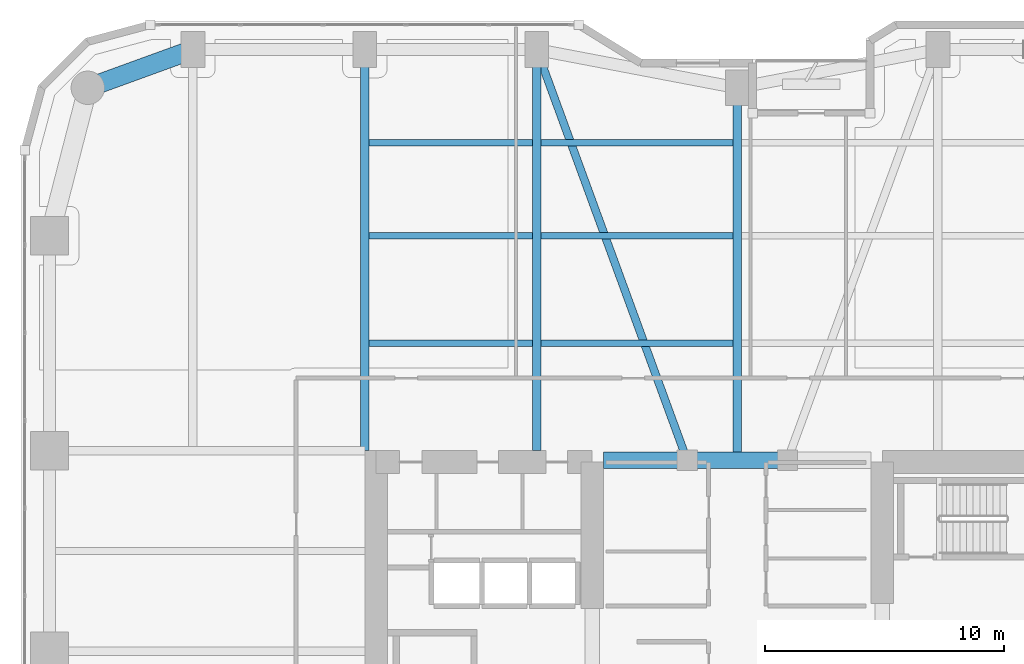
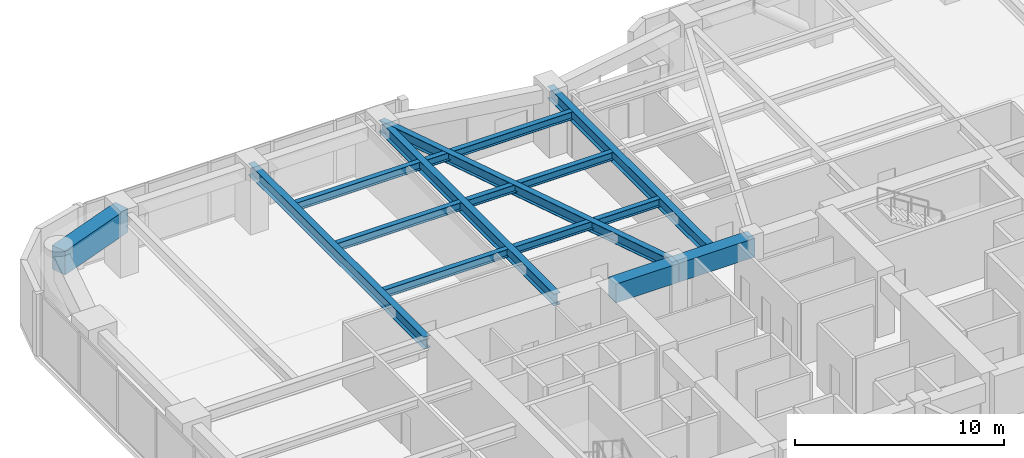
# One storey, part 15 of 28: 13 beams.
"""IFC4 building model written with IfcOpenShell, lengths in metres."""

from ifc_helpers import new_model, si_unit, direction, frame, origin, origin_2d, place, context, subcontext, project, spatial, rectangle, i_section, extrude, material, material_profile, profile_set, type_object, element, save


model = new_model("IFC4")

# Units and contexts
model_context = context("Model", 3, precision=1e-05, world=origin(), true_north=direction((0.0, 1.0)))
body_context = subcontext(model_context, "Body", "Model", "MODEL_VIEW")
ifc_project = project(units=[si_unit("LENGTHUNIT", "METRE"), si_unit("AREAUNIT", "SQUARE_METRE"), si_unit("VOLUMEUNIT", "CUBIC_METRE"), si_unit("PLANEANGLEUNIT", "RADIAN"), si_unit("MASSUNIT", "GRAM", prefix="KILO")], contexts=[model_context])

# Site, building, storey
site_placement = place(None, origin())
site = spatial("IfcSite", under=ifc_project, at=site_placement, CompositionType="ELEMENT")
building_placement = place(site_placement, origin())
building = spatial("IfcBuilding", under=site, at=building_placement, Name="Kiyonajd Concourse Tower", CompositionType="ELEMENT")
storey_placement = place(building_placement, frame((0.0, 0.0, 56.699951171875)))
storey = spatial("IfcBuildingStorey", under=building, at=storey_placement, Name="L15", CompositionType="ELEMENT", Elevation=56.699951171875)

# Beams
ifc_material_1 = material(Name="Concrete C70/85", Category="concrete")
ifc_material_profile_1 = material_profile(ifc_material_1, rectangle(XDim=0.699951171875, YDim=1.10009765625, at=origin_2d()), Name="RCBM-700x1100")
ifc_profile_set_1 = profile_set([ifc_material_profile_1], Name="Concrete C70/85")
beam_type_1 = type_object("IfcBeamType", Name="BM-COUP-1100", PredefinedType="LINTEL", material=ifc_profile_set_1)
beam_1_placement = place(storey_placement, frame((42.39990234375, 44.0, 3.090087890625), z_axis=(1.0, 0.0, 0.0), x_axis=(0.0, 1.0, 0.0)))
element("IfcBeam", 1, at=beam_1_placement, inside=storey, type_object=beam_type_1, Name="L15 Core Coupling Beam N1", PredefinedType="LINTEL", context=body_context, shape_type="SweptSolid", body=[
    extrude(rectangle(XDim=0.699951171875, YDim=1.10009765625, at=origin_2d()), origin(), (0.0, 0.0, 1.0), 3.5),
])
beam_2_placement = place(storey_placement, frame((45.89990234375, 44.0, 3.090087890625), z_axis=(1.0, 0.0, 0.0), x_axis=(0.0, 1.0, 0.0)))
element("IfcBeam", 2, at=beam_2_placement, inside=storey, type_object=beam_type_1, Name="L15 Core Coupling Beam N2", PredefinedType="LINTEL", context=body_context, shape_type="SweptSolid", body=[
    extrude(rectangle(XDim=0.699951171875, YDim=1.10009765625, at=origin_2d()), origin(), (0.0, 0.0, 1.0), 4.2001953125),
])
ifc_material_2 = material(Name="Steel ASTM A992 Grade 50", Category="steel")
ifc_material_profile_2 = material_profile(ifc_material_2, i_section(OverallWidth=0.280029296875, OverallDepth=0.462890625, WebThickness=0.0107421875, FlangeThickness=0.017333984375, at=origin_2d()), Name="W460X113")
ifc_profile_set_2 = profile_set([ifc_material_profile_2], Name="Steel ASTM A992 Grade 50")
beam_type_2 = type_object("IfcBeamType", Name="BM-JST-460A", PredefinedType="JOIST", material=ifc_profile_set_2)
beam_3_placement = place(storey_placement, frame((32.577392578125, 48.89990234375, 3.408447265625), z_axis=(1.0, 0.0, 0.0), x_axis=(0.0, 1.0, 0.0)))
element("IfcBeam", 3, at=beam_3_placement, inside=storey, type_object=beam_type_2, Name="L15 Secondary Floor Joist", PredefinedType="JOIST", context=body_context, shape_type="SweptSolid", body=[
    extrude(i_section(OverallWidth=0.280029296875, OverallDepth=0.462890625, WebThickness=0.0107421875, FlangeThickness=0.017333984375, at=origin_2d()), origin(), (0.0, 0.0, 1.0), 6.84521484375),
])
beam_4_placement = place(storey_placement, frame((39.777587890625, 48.89990234375, 3.408447265625), z_axis=(1.0, 0.0, 0.0), x_axis=(0.0, 1.0, 0.0)))
element("IfcBeam", 4, at=beam_4_placement, inside=storey, type_object=beam_type_2, Name="L15 Secondary Floor Joist", PredefinedType="JOIST", context=body_context, shape_type="SweptSolid", body=[
    extrude(i_section(OverallWidth=0.280029296875, OverallDepth=0.462890625, WebThickness=0.0107421875, FlangeThickness=0.017333984375, at=origin_2d()), origin(), (0.0, 0.0, 1.0), 8.044921875),
])
beam_5_placement = place(storey_placement, frame((32.577392578125, 53.39990234375, 3.408447265625), z_axis=(1.0, 0.0, 0.0), x_axis=(0.0, 1.0, 0.0)))
element("IfcBeam", 5, at=beam_5_placement, inside=storey, type_object=beam_type_2, Name="L15 Secondary Floor Joist", PredefinedType="JOIST", context=body_context, shape_type="SweptSolid", body=[
    extrude(i_section(OverallWidth=0.280029296875, OverallDepth=0.462890625, WebThickness=0.0107421875, FlangeThickness=0.017333984375, at=origin_2d()), origin(), (0.0, 0.0, 1.0), 6.84521484375),
])
beam_6_placement = place(storey_placement, frame((39.777587890625, 53.39990234375, 3.408447265625), z_axis=(1.0, 0.0, 0.0), x_axis=(0.0, 1.0, 0.0)))
element("IfcBeam", 6, at=beam_6_placement, inside=storey, type_object=beam_type_2, Name="L15 Secondary Floor Joist", PredefinedType="JOIST", context=body_context, shape_type="SweptSolid", body=[
    extrude(i_section(OverallWidth=0.280029296875, OverallDepth=0.462890625, WebThickness=0.0107421875, FlangeThickness=0.017333984375, at=origin_2d()), origin(), (0.0, 0.0, 1.0), 8.044921875),
])
beam_7_placement = place(storey_placement, frame((32.577392578125, 57.300048828125, 3.408447265625), z_axis=(1.0, 0.0, 0.0), x_axis=(0.0, 1.0, 0.0)))
element("IfcBeam", 7, at=beam_7_placement, inside=storey, type_object=beam_type_2, Name="L15 Secondary Floor Joist", PredefinedType="JOIST", context=body_context, shape_type="SweptSolid", body=[
    extrude(i_section(OverallWidth=0.280029296875, OverallDepth=0.462890625, WebThickness=0.0107421875, FlangeThickness=0.017333984375, at=origin_2d()), origin(), (0.0, 0.0, 1.0), 6.84521484375),
])
beam_8_placement = place(storey_placement, frame((39.777587890625, 57.300048828125, 3.408447265625), z_axis=(1.0, 0.0, 0.0), x_axis=(0.0, 1.0, 0.0)))
element("IfcBeam", 8, at=beam_8_placement, inside=storey, type_object=beam_type_2, Name="L15 Secondary Floor Joist", PredefinedType="JOIST", context=body_context, shape_type="SweptSolid", body=[
    extrude(i_section(OverallWidth=0.280029296875, OverallDepth=0.462890625, WebThickness=0.0107421875, FlangeThickness=0.017333984375, at=origin_2d()), origin(), (0.0, 0.0, 1.0), 8.044921875),
])
ifc_material_profile_3 = material_profile(ifc_material_2, i_section(OverallWidth=0.326904296875, OverallDepth=0.6220703125, WebThickness=0.015380859375, FlangeThickness=0.0244140625, at=origin_2d()), Name="W610X195")
ifc_profile_set_3 = profile_set([ifc_material_profile_3], Name="Steel ASTM A992 Grade 50")
beam_type_3 = type_object("IfcBeamType", Name="BM-TWR-610A", PredefinedType="BEAM", material=ifc_profile_set_3)
beam_9_placement = place(storey_placement, frame((39.60009765625, 61.199951171875, 3.3291015625), z_axis=(0.343925269715, -0.938997022813, 0.0), x_axis=(0.938997022813, 0.343925269715, 0.0)))
element("IfcBeam", 9, at=beam_9_placement, inside=storey, type_object=beam_type_3, Name="L15 Core Tie Girder", PredefinedType="BEAM", context=body_context, shape_type="SweptSolid", body=[
    extrude(i_section(OverallWidth=0.326904296875, OverallDepth=0.6220703125, WebThickness=0.015380859375, FlangeThickness=0.0244140625, at=origin_2d()), origin(), (0.0, 0.0, 1.0), 18.3173828125),
])
ifc_material_profile_4 = material_profile(ifc_material_2, i_section(OverallWidth=0.35498046875, OverallDepth=0.695068359375, WebThickness=0.015380859375, FlangeThickness=0.02490234375, at=origin_2d()), Name="W690X217")
ifc_profile_set_4 = profile_set([ifc_material_profile_4], Name="Steel ASTM A992 Grade 50")
beam_type_4 = type_object("IfcBeamType", Name="BM-TWR-690", PredefinedType="BEAM", material=ifc_profile_set_4)
for number, where, z_axis, x_axis, name in (
    (10, (32.39990234375, 44.39990234375, 3.29248046875), (0.0, 1.0, 0.0), (-1.0, 0.0, 0.0), "L15 North Lease Girder"),
    (11, (39.60009765625, 44.39990234375, 3.29248046875), (0.0, 1.0, 0.0), (-1.0, 0.0, 0.0), "L15 North Lease Girder"),
):
    element("IfcBeam", number, at=place(storey_placement, frame(where, z_axis=z_axis, x_axis=x_axis)), inside=storey, type_object=beam_type_4, Name=name, PredefinedType="BEAM", context=body_context, shape_type="SweptSolid", body=[
        extrude(i_section(OverallWidth=0.35498046875, OverallDepth=0.695068359375, WebThickness=0.015380859375, FlangeThickness=0.02490234375, at=origin_2d()), origin(), (0.0, 0.0, 1.0), 16.800048828125),
    ])
beam_10_placement = place(storey_placement, frame((48.0, 44.0, 3.29248046875), z_axis=(0.0, 1.0, 0.0), x_axis=(-1.0, 0.0, 0.0)))
element("IfcBeam", 12, at=beam_10_placement, inside=storey, type_object=beam_type_4, Name="L15 North Ribbon Girder", PredefinedType="BEAM", context=body_context, shape_type="SweptSolid", body=[
    extrude(i_section(OverallWidth=0.35498046875, OverallDepth=0.695068359375, WebThickness=0.015380859375, FlangeThickness=0.02490234375, at=origin_2d()), origin(), (0.0, 0.0, 1.0), 15.60009765625),
])
ifc_material_3 = material(Name="Concrete C60/75", Category="concrete")
ifc_material_profile_5 = material_profile(ifc_material_3, rectangle(XDim=0.800048828125, YDim=1.39990234375, at=origin_2d()), Name="RCBM-800x1400")
ifc_profile_set_5 = profile_set([ifc_material_profile_5], Name="Concrete C60/75")
beam_type_5 = type_object("IfcBeamType", Name="BM-XFER-RC", PredefinedType="BEAM", material=ifc_profile_set_5)
beam_11_placement = place(storey_placement, frame((25.199951171875, 61.199951171875, 2.93994140625), z_axis=(-0.939801036019, -0.341722127901, 0.0), x_axis=(0.341722127901, -0.939801036019, 0.0)))
element("IfcBeam", 13, at=beam_11_placement, inside=storey, type_object=beam_type_5, Name="L15 Perimeter Bundled Tube Spandrel", PredefinedType="BEAM", context=body_context, shape_type="SweptSolid", body=[
    extrude(rectangle(XDim=0.800048828125, YDim=1.39990234375, at=origin_2d()), origin(), (0.0, 0.0, 1.0), 4.681640625),
])

save(model, "model.ifc")
